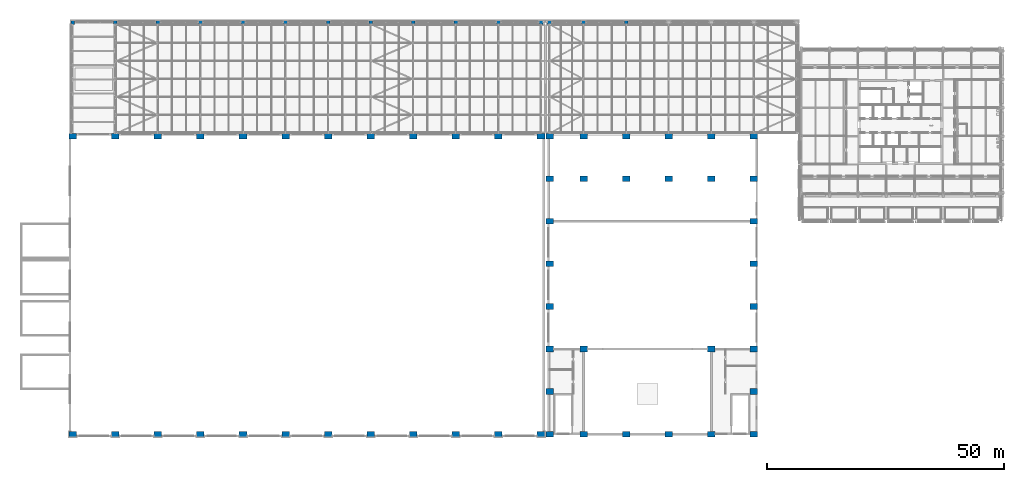
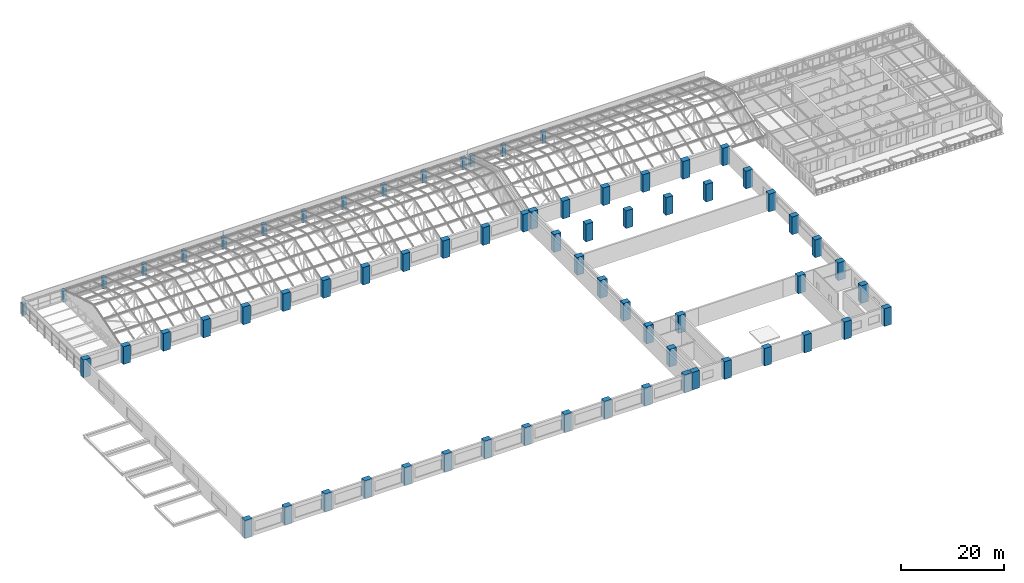
# One storey, part 1 of 82: 69 columns.
"""IFC4 building model written with IfcOpenShell, lengths in metres."""

from ifc_helpers import new_model, si_unit, direction, frame, origin, origin_2d, place, context, subcontext, project, spatial, rectangle, extrude, material, material_profile, profile_set, type_object, element, save


model = new_model("IFC4")

# Units and contexts
model_context = context("Model", 3, precision=1e-05, world=origin(), true_north=direction((0.0, 1.0)))
body_context = subcontext(model_context, "Body", "Model", "MODEL_VIEW")
ifc_project = project(units=[si_unit("LENGTHUNIT", "METRE"), si_unit("AREAUNIT", "SQUARE_METRE"), si_unit("VOLUMEUNIT", "CUBIC_METRE"), si_unit("PLANEANGLEUNIT", "RADIAN"), si_unit("MASSUNIT", "GRAM", prefix="KILO")], contexts=[model_context])

# Site, building, storey
site_placement = place(None, origin())
site = spatial("IfcSite", under=ifc_project, at=site_placement, CompositionType="ELEMENT")
building_placement = place(site_placement, origin())
building = spatial("IfcBuilding", under=site, at=building_placement, Name="Aravalli Gate Trade Fair Centre", CompositionType="ELEMENT")
storey_placement = place(building_placement, frame((0.0, 0.0, 19.199951171875)))
storey = spatial("IfcBuildingStorey", under=building, at=storey_placement, Name="L04", CompositionType="ELEMENT", Elevation=19.199951171875)

# Columns
ifc_material = material(Name="Concrete M45", Category="concrete")
ifc_material_profile_1 = material_profile(ifc_material, rectangle(XDim=1.60009765625, YDim=1.199951171875, at=origin_2d()), Name="RC 1600x1200")
ifc_profile_set_1 = profile_set([ifc_material_profile_1], Name="Concrete M45")
column_type_1 = type_object("IfcColumnType", Name="Congress RC column 1600 x 1200", PredefinedType="COLUMN", material=ifc_profile_set_1)
for number, where, z_axis, x_axis, name in (
    (1, (106.800048828125, 46.0, 0.0), (0.0, 0.0, 1.0), (1.0, 0.0, 0.0), "Congress column 106.8/46 L04"),
    (2, (114.0, 46.0, 0.0), (0.0, 0.0, 1.0), (1.0, 0.0, 0.0), "Congress column 114.0/46 L04"),
    (3, (123.0, 46.0, 0.0), (0.0, 0.0, 1.0), (1.0, 0.0, 0.0), "Congress column 123.0/46 L04"),
    (4, (132.0, 46.0, 0.0), (0.0, 0.0, 1.0), (1.0, 0.0, 0.0), "Congress column 132.0/46 L04"),
    (5, (141.0, 46.0, 0.0), (0.0, 0.0, 1.0), (1.0, 0.0, 0.0), "Congress column 141.0/46 L04"),
    (6, (150.0, 46.0, 0.0), (0.0, 0.0, 1.0), (1.0, 0.0, 0.0), "Congress column 150.0/46 L04"),
    (7, (106.800048828125, 55.0, 0.0), (0.0, 0.0, 1.0), (1.0, 0.0, 0.0), "Congress column 106.8/55 L04"),
    (8, (150.0, 55.0, 0.0), (0.0, 0.0, 1.0), (1.0, 0.0, 0.0), "Congress column 150.0/55 L04"),
    (9, (106.800048828125, 64.0, 0.0), (0.0, 0.0, 1.0), (1.0, 0.0, 0.0), "Congress column 106.8/64 L04"),
    (10, (150.0, 64.0, 0.0), (0.0, 0.0, 1.0), (1.0, 0.0, 0.0), "Congress column 150.0/64 L04"),
    (11, (106.800048828125, 73.0, 0.0), (0.0, 0.0, 1.0), (1.0, 0.0, 0.0), "Congress column 106.8/73 L04"),
    (12, (150.0, 73.0, 0.0), (0.0, 0.0, 1.0), (1.0, 0.0, 0.0), "Congress column 150.0/73 L04"),
    (13, (106.800048828125, 82.0, 0.0), (0.0, 0.0, 1.0), (1.0, 0.0, 0.0), "Congress column 106.8/82 L04"),
    (14, (150.0, 82.0, 0.0), (0.0, 0.0, 1.0), (1.0, 0.0, 0.0), "Congress column 150.0/82 L04"),
    (15, (106.800048828125, 91.0, 0.0), (0.0, 0.0, 1.0), (1.0, 0.0, 0.0), "Congress column 106.8/91 L04"),
    (16, (150.0, 91.0, 0.0), (0.0, 0.0, 1.0), (1.0, 0.0, 0.0), "Congress column 150.0/91 L04"),
    (17, (106.800048828125, 100.0, 0.0), (0.0, 0.0, 1.0), (1.0, 0.0, 0.0), "Congress column 106.8/100 L04"),
    (18, (150.0, 100.0, 0.0), (0.0, 0.0, 1.0), (1.0, 0.0, 0.0), "Congress column 150.0/100 L04"),
    (19, (106.800048828125, 109.0, 0.0), (0.0, 0.0, 1.0), (1.0, 0.0, 0.0), "Congress column 106.8/109 L04"),
    (20, (114.0, 109.0, 0.0), (0.0, 0.0, 1.0), (1.0, 0.0, 0.0), "Congress column 114.0/109 L04"),
    (21, (123.0, 109.0, 0.0), (0.0, 0.0, 1.0), (1.0, 0.0, 0.0), "Congress column 123.0/109 L04"),
    (22, (132.0, 109.0, 0.0), (0.0, 0.0, 1.0), (1.0, 0.0, 0.0), "Congress column 132.0/109 L04"),
    (23, (141.0, 109.0, 0.0), (0.0, 0.0, 1.0), (1.0, 0.0, 0.0), "Congress column 141.0/109 L04"),
    (24, (150.0, 109.0, 0.0), (0.0, 0.0, 1.0), (1.0, 0.0, 0.0), "Congress column 150.0/109 L04"),
):
    element("IfcColumn", number, at=place(storey_placement, frame(where, z_axis=z_axis, x_axis=x_axis)), inside=storey, type_object=column_type_1, Name=name, PredefinedType="COLUMN", context=body_context, shape_type="SweptSolid", body=[
        extrude(rectangle(XDim=1.60009765625, YDim=1.199951171875, at=origin_2d()), origin(), (0.0, 0.0, 1.0), 4.199951171875),
    ])
ifc_material_profile_2 = material_profile(ifc_material, rectangle(XDim=1.60009765625, YDim=1.199951171875, at=origin_2d()), Name="RC 1600x1200")
ifc_profile_set_2 = profile_set([ifc_material_profile_2], Name="Concrete M45")
column_type_2 = type_object("IfcColumnType", Name="Congress RC column 1600 x 1200, heavy stack", PredefinedType="COLUMN", material=ifc_profile_set_2)
for number, where, z_axis, x_axis, name in (
    (25, (114.0, 64.0, 0.0), (0.0, 0.0, 1.0), (1.0, 0.0, 0.0), "Congress column 114.0/64 L04"),
    (26, (141.0, 64.0, 0.0), (0.0, 0.0, 1.0), (1.0, 0.0, 0.0), "Congress column 141.0/64 L04"),
    (27, (114.0, 100.0, 0.0), (0.0, 0.0, 1.0), (1.0, 0.0, 0.0), "Congress column 114.0/100 L04"),
    (28, (123.0, 100.0, 0.0), (0.0, 0.0, 1.0), (1.0, 0.0, 0.0), "Congress column 123.0/100 L04"),
    (29, (132.0, 100.0, 0.0), (0.0, 0.0, 1.0), (1.0, 0.0, 0.0), "Congress column 132.0/100 L04"),
    (30, (141.0, 100.0, 0.0), (0.0, 0.0, 1.0), (1.0, 0.0, 0.0), "Congress column 141.0/100 L04"),
):
    element("IfcColumn", number, at=place(storey_placement, frame(where, z_axis=z_axis, x_axis=x_axis)), inside=storey, type_object=column_type_2, Name=name, PredefinedType="COLUMN", context=body_context, shape_type="SweptSolid", body=[
        extrude(rectangle(XDim=1.60009765625, YDim=1.199951171875, at=origin_2d()), origin(), (0.0, 0.0, 1.0), 4.199951171875),
    ])
ifc_material_profile_3 = material_profile(ifc_material, rectangle(XDim=1.60009765625, YDim=1.199951171875, at=origin_2d()), Name="RC 1600x1200")
ifc_profile_set_3 = profile_set([ifc_material_profile_3], Name="Concrete M45")
column_type_3 = type_object("IfcColumnType", Name="Hall end-line spine column HC2", PredefinedType="COLUMN", material=ifc_profile_set_3)
for number, where, z_axis, x_axis, name in (
    (31, (6.0, 46.0, 0.0), (0.0, 0.0, 1.0), (1.0, 0.0, 0.0), "Spine column A1 L04"),
    (32, (6.0, 109.0, 0.0), (0.0, 0.0, 1.0), (1.0, 0.0, 0.0), "Spine column H1 L04"),
    (33, (105.0, 46.0, 0.0), (0.0, 0.0, 1.0), (1.0, 0.0, 0.0), "Spine column A12 L04"),
    (34, (105.0, 109.0, 0.0), (0.0, 0.0, 1.0), (1.0, 0.0, 0.0), "Spine column H12 L04"),
):
    element("IfcColumn", number, at=place(storey_placement, frame(where, z_axis=z_axis, x_axis=x_axis)), inside=storey, type_object=column_type_3, Name=name, PredefinedType="COLUMN", context=body_context, shape_type="SweptSolid", body=[
        extrude(rectangle(XDim=1.60009765625, YDim=1.199951171875, at=origin_2d()), origin(), (0.0, 0.0, 1.0), 4.199951171875),
    ])
ifc_material_profile_4 = material_profile(ifc_material, rectangle(XDim=1.60009765625, YDim=1.199951171875, at=origin_2d()), Name="RC 1600x1200")
ifc_profile_set_4 = profile_set([ifc_material_profile_4], Name="Concrete M45")
column_type_4 = type_object("IfcColumnType", Name="Hall spine column HC1", PredefinedType="COLUMN", material=ifc_profile_set_4)
for number, where, z_axis, x_axis, name in (
    (35, (15.0, 46.0, 0.0), (0.0, 0.0, 1.0), (1.0, 0.0, 0.0), "Spine column A2 L04"),
    (36, (15.0, 109.0, 0.0), (0.0, 0.0, 1.0), (1.0, 0.0, 0.0), "Spine column H2 L04"),
    (37, (24.0, 46.0, 0.0), (0.0, 0.0, 1.0), (1.0, 0.0, 0.0), "Spine column A3 L04"),
    (38, (24.0, 109.0, 0.0), (0.0, 0.0, 1.0), (1.0, 0.0, 0.0), "Spine column H3 L04"),
    (39, (33.0, 46.0, 0.0), (0.0, 0.0, 1.0), (1.0, 0.0, 0.0), "Spine column A4 L04"),
    (40, (33.0, 109.0, 0.0), (0.0, 0.0, 1.0), (1.0, 0.0, 0.0), "Spine column H4 L04"),
    (41, (42.0, 46.0, 0.0), (0.0, 0.0, 1.0), (1.0, 0.0, 0.0), "Spine column A5 L04"),
    (42, (42.0, 109.0, 0.0), (0.0, 0.0, 1.0), (1.0, 0.0, 0.0), "Spine column H5 L04"),
    (43, (51.0, 46.0, 0.0), (0.0, 0.0, 1.0), (1.0, 0.0, 0.0), "Spine column A6 L04"),
    (44, (51.0, 109.0, 0.0), (0.0, 0.0, 1.0), (1.0, 0.0, 0.0), "Spine column H6 L04"),
    (45, (60.0, 46.0, 0.0), (0.0, 0.0, 1.0), (1.0, 0.0, 0.0), "Spine column A7 L04"),
    (46, (60.0, 109.0, 0.0), (0.0, 0.0, 1.0), (1.0, 0.0, 0.0), "Spine column H7 L04"),
    (47, (69.0, 46.0, 0.0), (0.0, 0.0, 1.0), (1.0, 0.0, 0.0), "Spine column A8 L04"),
    (48, (69.0, 109.0, 0.0), (0.0, 0.0, 1.0), (1.0, 0.0, 0.0), "Spine column H8 L04"),
    (49, (78.0, 46.0, 0.0), (0.0, 0.0, 1.0), (1.0, 0.0, 0.0), "Spine column A9 L04"),
    (50, (78.0, 109.0, 0.0), (0.0, 0.0, 1.0), (1.0, 0.0, 0.0), "Spine column H9 L04"),
    (51, (87.0, 46.0, 0.0), (0.0, 0.0, 1.0), (1.0, 0.0, 0.0), "Spine column A10 L04"),
    (52, (87.0, 109.0, 0.0), (0.0, 0.0, 1.0), (1.0, 0.0, 0.0), "Spine column H10 L04"),
    (53, (96.0, 46.0, 0.0), (0.0, 0.0, 1.0), (1.0, 0.0, 0.0), "Spine column A11 L04"),
    (54, (96.0, 109.0, 0.0), (0.0, 0.0, 1.0), (1.0, 0.0, 0.0), "Spine column H11 L04"),
):
    element("IfcColumn", number, at=place(storey_placement, frame(where, z_axis=z_axis, x_axis=x_axis)), inside=storey, type_object=column_type_4, Name=name, PredefinedType="COLUMN", context=body_context, shape_type="SweptSolid", body=[
        extrude(rectangle(XDim=1.60009765625, YDim=1.199951171875, at=origin_2d()), origin(), (0.0, 0.0, 1.0), 4.199951171875),
    ])
ifc_material_profile_5 = material_profile(ifc_material, rectangle(XDim=0.800048828125, YDim=0.800048828125, at=origin_2d()), Name="RC column 800 x 800")
ifc_profile_set_5 = profile_set([ifc_material_profile_5], Name="Concrete M45")
column_type_5 = type_object("IfcColumnType", Name="RC column 800 x 800", PredefinedType="COLUMN", material=ifc_profile_set_5)
for number, where, z_axis, x_axis, name in (
    (55, (6.0, 133.0, 0.0), (0.0, 0.0, 1.0), (1.0, 0.0, 0.0), "Concourse column K01 L04"),
    (56, (15.0, 133.0, 0.0), (0.0, 0.0, 1.0), (1.0, 0.0, 0.0), "Concourse column K02 L04"),
    (57, (24.0, 133.0, 0.0), (0.0, 0.0, 1.0), (1.0, 0.0, 0.0), "Concourse column K03 L04"),
    (58, (33.0, 133.0, 0.0), (0.0, 0.0, 1.0), (1.0, 0.0, 0.0), "Concourse column K04 L04"),
    (59, (42.0, 133.0, 0.0), (0.0, 0.0, 1.0), (1.0, 0.0, 0.0), "Concourse column K05 L04"),
    (60, (51.0, 133.0, 0.0), (0.0, 0.0, 1.0), (1.0, 0.0, 0.0), "Concourse column K06 L04"),
    (61, (60.0, 133.0, 0.0), (0.0, 0.0, 1.0), (1.0, 0.0, 0.0), "Concourse column K07 L04"),
    (62, (69.0, 133.0, 0.0), (0.0, 0.0, 1.0), (1.0, 0.0, 0.0), "Concourse column K08 L04"),
    (63, (78.0, 133.0, 0.0), (0.0, 0.0, 1.0), (1.0, 0.0, 0.0), "Concourse column K09 L04"),
    (64, (87.0, 133.0, 0.0), (0.0, 0.0, 1.0), (1.0, 0.0, 0.0), "Concourse column K10 L04"),
    (65, (96.0, 133.0, 0.0), (0.0, 0.0, 1.0), (1.0, 0.0, 0.0), "Concourse column K11 L04"),
    (66, (105.0, 133.0, 0.0), (0.0, 0.0, 1.0), (1.0, 0.0, 0.0), "Concourse column K12 L04"),
    (67, (106.800048828125, 133.0, 0.0), (0.0, 0.0, 1.0), (1.0, 0.0, 0.0), "Concourse column K12A L04"),
    (68, (114.0, 133.0, 0.0), (0.0, 0.0, 1.0), (1.0, 0.0, 0.0), "Concourse column K13 L04"),
    (69, (123.0, 133.0, 0.0), (0.0, 0.0, 1.0), (1.0, 0.0, 0.0), "Concourse column K14 L04"),
):
    element("IfcColumn", number, at=place(storey_placement, frame(where, z_axis=z_axis, x_axis=x_axis)), inside=storey, type_object=column_type_5, Name=name, PredefinedType="COLUMN", context=body_context, shape_type="SweptSolid", body=[
        extrude(rectangle(XDim=0.800048828125, YDim=0.800048828125, at=origin_2d()), origin(), (0.0, 0.0, 1.0), 2.699951171875),
    ])

save(model, "model.ifc")
